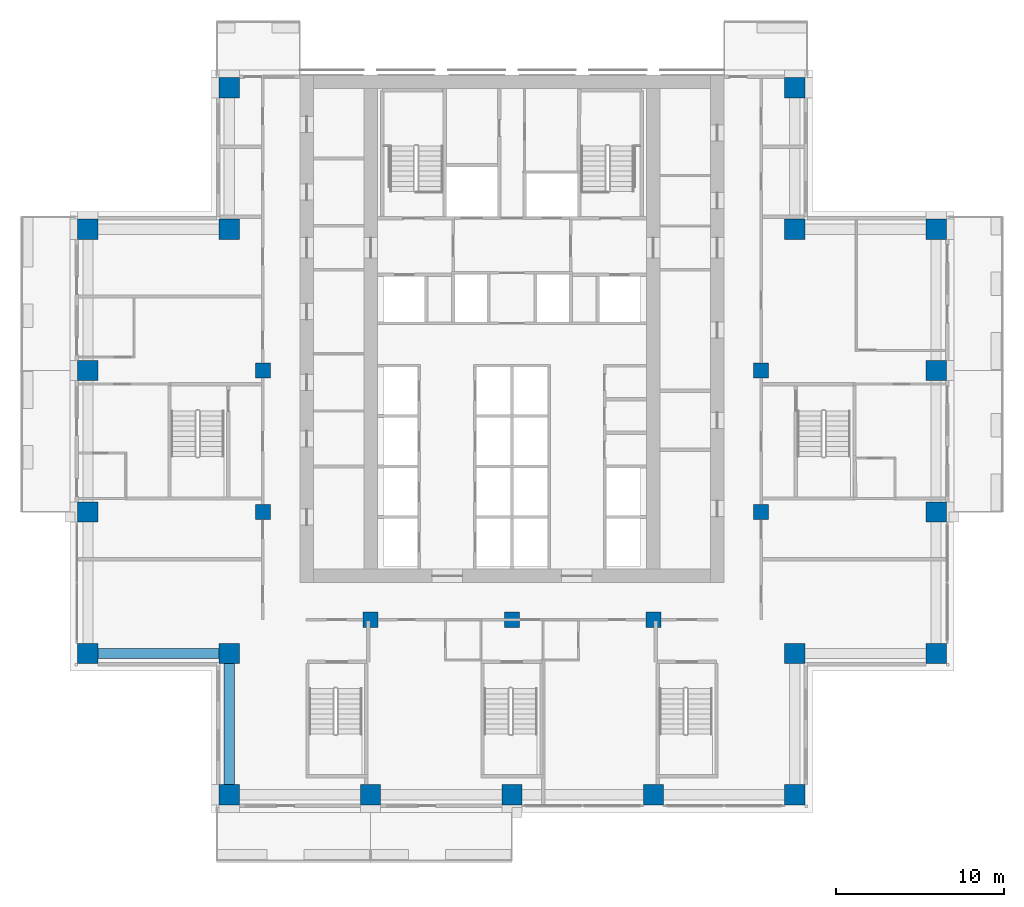
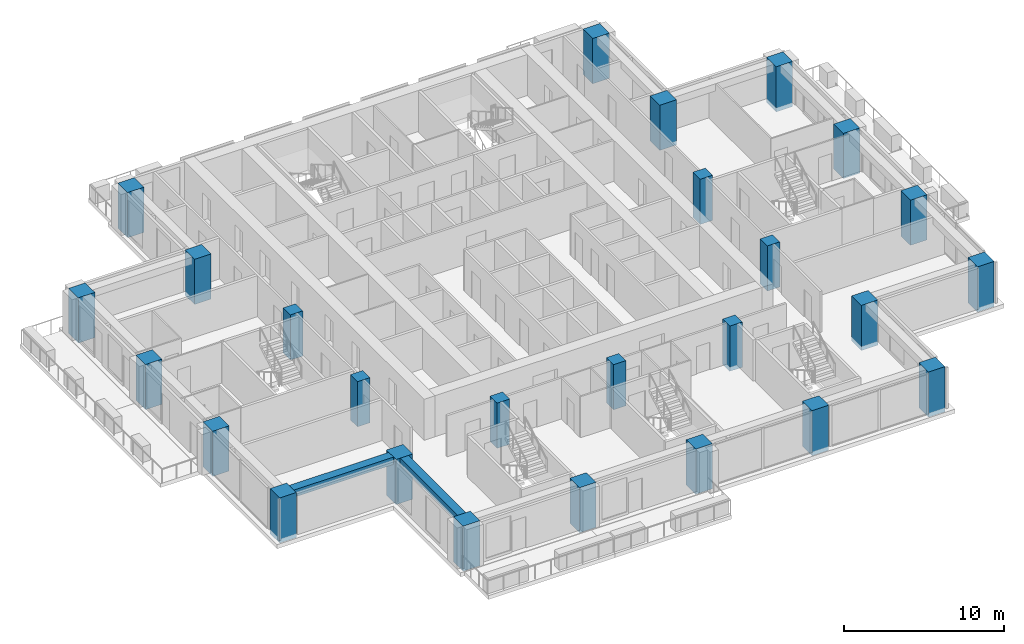
# One storey, part 1 of 16: 26 columns, 2 beams.
"""IFC4 building model written with IfcOpenShell, lengths in metres."""

from ifc_helpers import new_model, si_unit, direction, frame, origin, origin_2d, place, context, subcontext, project, spatial, rectangle, extrude, material, material_profile, profile_set, type_object, element, save


model = new_model("IFC4")

# Units and contexts
model_context = context("Model", 3, precision=1e-05, world=origin(), true_north=direction((0.0, 1.0)))
body_context = subcontext(model_context, "Body", "Model", "MODEL_VIEW")
ifc_project = project(units=[si_unit("LENGTHUNIT", "METRE"), si_unit("AREAUNIT", "SQUARE_METRE"), si_unit("VOLUMEUNIT", "CUBIC_METRE"), si_unit("PLANEANGLEUNIT", "RADIAN"), si_unit("MASSUNIT", "GRAM", prefix="KILO")], contexts=[model_context])

# Site, building, storey
site_placement = place(None, origin())
site = spatial("IfcSite", under=ifc_project, at=site_placement, CompositionType="ELEMENT")
building_placement = place(site_placement, origin())
building = spatial("IfcBuilding", under=site, at=building_placement, Name="Vermilion Ogive Tower", CompositionType="ELEMENT")
storey_placement = place(building_placement, frame((0.0, 0.0, 101.10009765625)))
storey = spatial("IfcBuildingStorey", under=building, at=storey_placement, Name="L25", CompositionType="ELEMENT", Elevation=101.10009765625)

# Columns
ifc_material_1 = material(Name="Concrete B80", Category="concrete")
ifc_material_profile_1 = material_profile(ifc_material_1, rectangle(XDim=1.199951171875, YDim=1.199951171875, at=origin_2d()), Name="1200 x 1200")
ifc_profile_set_1 = profile_set([ifc_material_profile_1], Name="Concrete B80")
column_type_1 = type_object("IfcColumnType", Name="Perimeter column 1200 x 1200 B80", PredefinedType="COLUMN", material=ifc_profile_set_1)
for number, where, z_axis, x_axis, name in (
    (1, (-16.800048828125, -21.0, -0.320068359375), (0.0, 0.0, 1.0), (1.0, 0.0, 0.0), "COL-L25-P-0168-210"),
    (2, (-8.39990234375, -21.0, -0.320068359375), (0.0, 0.0, 1.0), (1.0, 0.0, 0.0), "COL-L25-P-0084-210"),
    (3, (0.0, -21.0, -0.320068359375), (0.0, 0.0, 1.0), (1.0, 0.0, 0.0), "COL-L25-P+0000-210"),
    (4, (8.39990234375, -21.0, -0.320068359375), (0.0, 0.0, 1.0), (1.0, 0.0, 0.0), "COL-L25-P+0084-210"),
    (5, (16.800048828125, -21.0, -0.320068359375), (0.0, 0.0, 1.0), (1.0, 0.0, 0.0), "COL-L25-P+0168-210"),
    (6, (-25.199951171875, -12.60009765625, -0.320068359375), (0.0, 0.0, 1.0), (1.0, 0.0, 0.0), "COL-L25-P-0252-126"),
    (7, (-16.800048828125, -12.60009765625, -0.320068359375), (0.0, 0.0, 1.0), (1.0, 0.0, 0.0), "COL-L25-P-0168-126"),
    (8, (16.800048828125, -12.60009765625, -0.320068359375), (0.0, 0.0, 1.0), (1.0, 0.0, 0.0), "COL-L25-P+0168-126"),
    (9, (25.199951171875, -12.60009765625, -0.320068359375), (0.0, 0.0, 1.0), (1.0, 0.0, 0.0), "COL-L25-P+0252-126"),
    (10, (-25.199951171875, -4.199951171875, -0.320068359375), (0.0, 0.0, 1.0), (1.0, 0.0, 0.0), "COL-L25-P-0252-042"),
    (11, (25.199951171875, -4.199951171875, -0.320068359375), (0.0, 0.0, 1.0), (1.0, 0.0, 0.0), "COL-L25-P+0252-042"),
    (12, (-25.199951171875, 4.199951171875, -0.320068359375), (0.0, 0.0, 1.0), (1.0, 0.0, 0.0), "COL-L25-P-0252+042"),
    (13, (25.199951171875, 4.199951171875, -0.320068359375), (0.0, 0.0, 1.0), (1.0, 0.0, 0.0), "COL-L25-P+0252+042"),
    (14, (-25.199951171875, 12.60009765625, -0.320068359375), (0.0, 0.0, 1.0), (1.0, 0.0, 0.0), "COL-L25-P-0252+126"),
    (15, (-16.800048828125, 12.60009765625, -0.320068359375), (0.0, 0.0, 1.0), (1.0, 0.0, 0.0), "COL-L25-P-0168+126"),
    (16, (16.800048828125, 12.60009765625, -0.320068359375), (0.0, 0.0, 1.0), (1.0, 0.0, 0.0), "COL-L25-P+0168+126"),
    (17, (25.199951171875, 12.60009765625, -0.320068359375), (0.0, 0.0, 1.0), (1.0, 0.0, 0.0), "COL-L25-P+0252+126"),
    (18, (-16.800048828125, 21.0, -0.320068359375), (0.0, 0.0, 1.0), (1.0, 0.0, 0.0), "COL-L25-P-0168+210"),
    (19, (16.800048828125, 21.0, -0.320068359375), (0.0, 0.0, 1.0), (1.0, 0.0, 0.0), "COL-L25-P+0168+210"),
):
    element("IfcColumn", number, at=place(storey_placement, frame(where, z_axis=z_axis, x_axis=x_axis)), inside=storey, type_object=column_type_1, Name=name, PredefinedType="COLUMN", context=body_context, shape_type="SweptSolid", body=[
        extrude(rectangle(XDim=1.199951171875, YDim=1.199951171875, at=origin_2d()), origin(), (0.0, 0.0, 1.0), 3.449951171875),
    ])
ifc_material_2 = material(Name="Concrete B80", Category="concrete")
ifc_material_profile_2 = material_profile(ifc_material_2, rectangle(XDim=0.89990234375, YDim=0.89990234375, at=origin_2d()), Name="900 x 900")
ifc_profile_set_2 = profile_set([ifc_material_profile_2], Name="Concrete B80")
column_type_2 = type_object("IfcColumnType", Name="Ring column 900 x 900 B80", PredefinedType="COLUMN", material=ifc_profile_set_2)
for number, where, z_axis, x_axis, name in (
    (20, (-8.39990234375, -10.60009765625, -0.320068359375), (0.0, 0.0, 1.0), (1.0, 0.0, 0.0), "COL-L25-R-0084-106"),
    (21, (0.0, -10.60009765625, -0.320068359375), (0.0, 0.0, 1.0), (1.0, 0.0, 0.0), "COL-L25-R+0000-106"),
    (22, (8.39990234375, -10.60009765625, -0.320068359375), (0.0, 0.0, 1.0), (1.0, 0.0, 0.0), "COL-L25-R+0084-106"),
    (23, (-14.800048828125, -4.199951171875, -0.320068359375), (0.0, 0.0, 1.0), (1.0, 0.0, 0.0), "COL-L25-R-0148-042"),
    (24, (14.800048828125, -4.199951171875, -0.320068359375), (0.0, 0.0, 1.0), (1.0, 0.0, 0.0), "COL-L25-R+0148-042"),
    (25, (-14.800048828125, 4.199951171875, -0.320068359375), (0.0, 0.0, 1.0), (1.0, 0.0, 0.0), "COL-L25-R-0148+042"),
    (26, (14.800048828125, 4.199951171875, -0.320068359375), (0.0, 0.0, 1.0), (1.0, 0.0, 0.0), "COL-L25-R+0148+042"),
):
    element("IfcColumn", number, at=place(storey_placement, frame(where, z_axis=z_axis, x_axis=x_axis)), inside=storey, type_object=column_type_2, Name=name, PredefinedType="COLUMN", context=body_context, shape_type="SweptSolid", body=[
        extrude(rectangle(XDim=0.89990234375, YDim=0.89990234375, at=origin_2d()), origin(), (0.0, 0.0, 1.0), 3.449951171875),
    ])

# Beams
ifc_material_3 = material(Name="Concrete B45", Category="concrete")
ifc_material_profile_3 = material_profile(ifc_material_3, rectangle(XDim=0.60009765625, YDim=0.550048828125, at=origin_2d()), Name="600 x 550")
ifc_profile_set_3 = profile_set([ifc_material_profile_3], Name="Concrete B45")
beam_type = type_object("IfcBeamType", Name="Edge beam 600 x 550 B45", PredefinedType="BEAM", material=ifc_profile_set_3)
beam_1_placement = place(storey_placement, frame((-24.60009765625, -12.60009765625, 2.85498046875), z_axis=(1.0, 0.0, 0.0), x_axis=(0.0, 1.0, 0.0)))
element("IfcBeam", 27, at=beam_1_placement, inside=storey, type_object=beam_type, Name="L25-EB-17", PredefinedType="BEAM", context=body_context, shape_type="SweptSolid", body=[
    extrude(rectangle(XDim=0.60009765625, YDim=0.550048828125, at=origin_2d()), origin(), (0.0, 0.0, 1.0), 7.2001953125),
])
beam_2_placement = place(storey_placement, frame((-16.800048828125, -13.199951171875, 2.85498046875), z_axis=(0.0, -1.0, 0.0), x_axis=(1.0, 0.0, 0.0)))
element("IfcBeam", 28, at=beam_2_placement, inside=storey, type_object=beam_type, Name="L25-EB-18", PredefinedType="BEAM", context=body_context, shape_type="SweptSolid", body=[
    extrude(rectangle(XDim=0.60009765625, YDim=0.550048828125, at=origin_2d()), origin(), (0.0, 0.0, 1.0), 7.199951171875),
])

save(model, "model.ifc")
